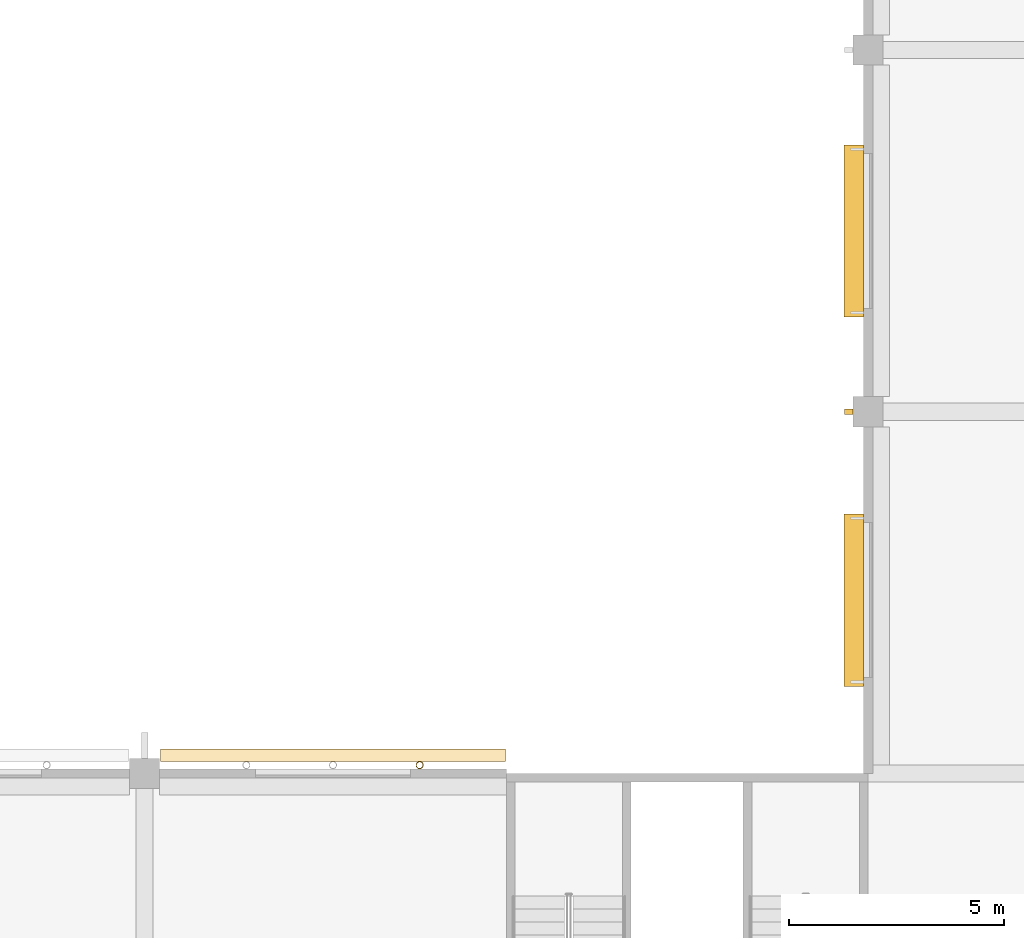
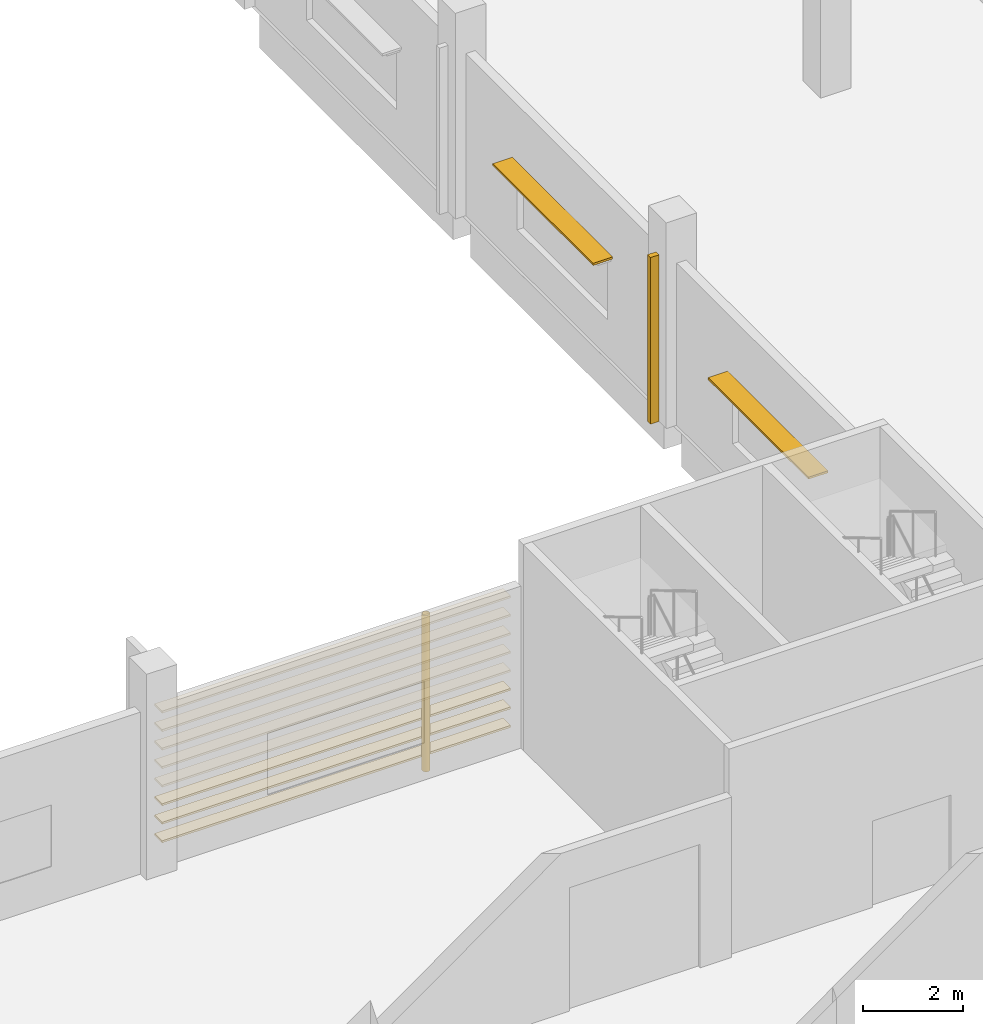
# One storey, part 61 of 82: 8 coverings, 4 shading devices.
"""IFC4 building model written with IfcOpenShell, lengths in metres."""

from ifc_helpers import new_model, si_unit, direction, frame, origin, origin_2d, place, context, subcontext, project, spatial, rectangle, hollow_circle, extrude, material, material_profile, profile_set, type_object, element, save


model = new_model("IFC4")

# Units and contexts
model_context = context("Model", 3, precision=1e-05, world=origin(), true_north=direction((0.0, 1.0)))
body_context = subcontext(model_context, "Body", "Model", "MODEL_VIEW")
ifc_project = project(units=[si_unit("LENGTHUNIT", "METRE"), si_unit("AREAUNIT", "SQUARE_METRE"), si_unit("VOLUMEUNIT", "CUBIC_METRE"), si_unit("PLANEANGLEUNIT", "RADIAN"), si_unit("MASSUNIT", "GRAM", prefix="KILO")], contexts=[model_context])

# Site, building, storey
site_placement = place(None, origin())
site = spatial("IfcSite", under=ifc_project, at=site_placement, CompositionType="ELEMENT")
building_placement = place(site_placement, origin())
building = spatial("IfcBuilding", under=site, at=building_placement, Name="Almond Square Museum", CompositionType="ELEMENT")
storey_placement = place(building_placement, frame((0.0, 0.0, 20.0)))
storey = spatial("IfcBuildingStorey", under=building, at=storey_placement, Name="L03", CompositionType="ELEMENT", Elevation=20.0)

# Shading device
ifc_material_1 = material(Name="Structural steel S355", Category="steel")
ifc_material_profile_1 = material_profile(ifc_material_1, hollow_circle(Radius=0.084228515625, WallThickness=0.008056640625, at=origin_2d()))
ifc_profile_set_1 = profile_set([ifc_material_profile_1], Name="Structural steel S355")
shading_device_type_1 = type_object("IfcShadingDeviceType", Name="Louvre post CHS 168.3 x 8", PredefinedType="USERDEFINED", material=ifc_profile_set_1)
shading_device_1_placement = place(storey_placement, frame((121.58740234375, 16.994140625, 0.0), z_axis=(0.0, 0.0, 1.0), x_axis=(1.0, 0.0, 0.0)))
element("IfcShadingDevice", 1, at=shading_device_1_placement, inside=storey, type_object=shading_device_type_1, Name="Louvre screen post", ObjectType="POST", PredefinedType="USERDEFINED", context=body_context, shape_type="SweptSolid", body=[
    extrude(hollow_circle(Radius=0.084228515625, WallThickness=0.008056640625, at=origin_2d()), origin(), (0.0, 0.0, 1.0), 3.800048828125),
])

# Coverings
ifc_material_2 = material(Name="Cedar timber louvre board", Category="wood")
ifc_material_profile_2 = material_profile(ifc_material_2, rectangle(XDim=0.300048828125, YDim=0.050048828125, at=origin_2d()))
ifc_profile_set_2 = profile_set([ifc_material_profile_2], Name="Cedar timber louvre board")
covering_type = type_object("IfcCoveringType", Name="Louvre screen board 300 x 50", PredefinedType="CLADDING", material=ifc_profile_set_2)
for number, where, z_axis, x_axis, name in (
    (2, (115.570068359375, 17.224365234375, 0.300048828125), (1.0, 0.0, 0.0), (0.0, 1.0, 0.0), "Louvre screen board"),
    (3, (115.570068359375, 17.224365234375, 0.75), (1.0, 0.0, 0.0), (0.0, 1.0, 0.0), "Louvre screen board"),
    (4, (115.570068359375, 17.224365234375, 1.199951171875), (1.0, 0.0, 0.0), (0.0, 1.0, 0.0), "Louvre screen board"),
    (5, (115.570068359375, 17.224365234375, 1.64990234375), (1.0, 0.0, 0.0), (0.0, 1.0, 0.0), "Louvre screen board"),
    (6, (115.570068359375, 17.224365234375, 2.10009765625), (1.0, 0.0, 0.0), (0.0, 1.0, 0.0), "Louvre screen board"),
    (7, (115.570068359375, 17.224365234375, 2.550048828125), (1.0, 0.0, 0.0), (0.0, 1.0, 0.0), "Louvre screen board"),
    (8, (115.570068359375, 17.224365234375, 3.0), (1.0, 0.0, 0.0), (0.0, 1.0, 0.0), "Louvre screen board"),
    (9, (115.570068359375, 17.224365234375, 3.449951171875), (1.0, 0.0, 0.0), (0.0, 1.0, 0.0), "Louvre screen board"),
):
    element("IfcCovering", number, at=place(storey_placement, frame(where, z_axis=z_axis, x_axis=x_axis)), inside=storey, type_object=covering_type, Name=name, PredefinedType="CLADDING", context=body_context, shape_type="SweptSolid", body=[
        extrude(rectangle(XDim=0.300048828125, YDim=0.050048828125, at=origin_2d()), origin(), (0.0, 0.0, 1.0), 8.010009765625),
    ])

# Shading devices
ifc_material_3 = material(Name="Anodised aluminium", Category="aluminium")
ifc_material_profile_3 = material_profile(ifc_material_3, rectangle(XDim=0.449951171875, YDim=0.050048828125, at=origin_2d()))
ifc_profile_set_3 = profile_set([ifc_material_profile_3], Name="Anodised aluminium")
shading_device_type_2 = type_object("IfcShadingDeviceType", Name="Sun-shade blade 450 x 50", PredefinedType="USERDEFINED", material=ifc_profile_set_3)
for number, where, z_axis, x_axis, name in (
    (10, (131.6669921875, 27.39990234375, 2.52001953125), (0.0, 1.0, 0.0), (-1.0, 0.0, 0.0), "Sun-shade blade"),
    (11, (131.6669921875, 18.824951171875, 2.52001953125), (0.0, 1.0, 0.0), (-1.0, 0.0, 0.0), "Sun-shade blade"),
):
    element("IfcShadingDevice", number, at=place(storey_placement, frame(where, z_axis=z_axis, x_axis=x_axis)), inside=storey, type_object=shading_device_type_2, Name=name, ObjectType="LOUVRE", PredefinedType="USERDEFINED", context=body_context, shape_type="SweptSolid", body=[
        extrude(rectangle(XDim=0.449951171875, YDim=0.050048828125, at=origin_2d()), origin(), (0.0, 0.0, 1.0), 4.0),
    ])
ifc_material_4 = material(Name="Anodised aluminium", Category="aluminium")
ifc_material_profile_4 = material_profile(ifc_material_4, rectangle(XDim=0.199951171875, YDim=0.1201171875, at=origin_2d()))
ifc_profile_set_4 = profile_set([ifc_material_profile_4], Name="Anodised aluminium")
shading_device_type_3 = type_object("IfcShadingDeviceType", Name="Vertical aluminium fin 200 x 120", PredefinedType="USERDEFINED", material=ifc_profile_set_4)
shading_device_2_placement = place(storey_placement, frame((131.552001953125, 25.199951171875, 0.0), z_axis=(0.0, 0.0, 1.0), x_axis=(-1.0, 0.0, 0.0)))
element("IfcShadingDevice", 12, at=shading_device_2_placement, inside=storey, type_object=shading_device_type_3, Name="Vertical fin V5E L03 W02", ObjectType="FIN", PredefinedType="USERDEFINED", context=body_context, shape_type="SweptSolid", body=[
    extrude(rectangle(XDim=0.199951171875, YDim=0.1201171875, at=origin_2d()), origin(), (0.0, 0.0, 1.0), 4.050048828125),
])

save(model, "model.ifc")
